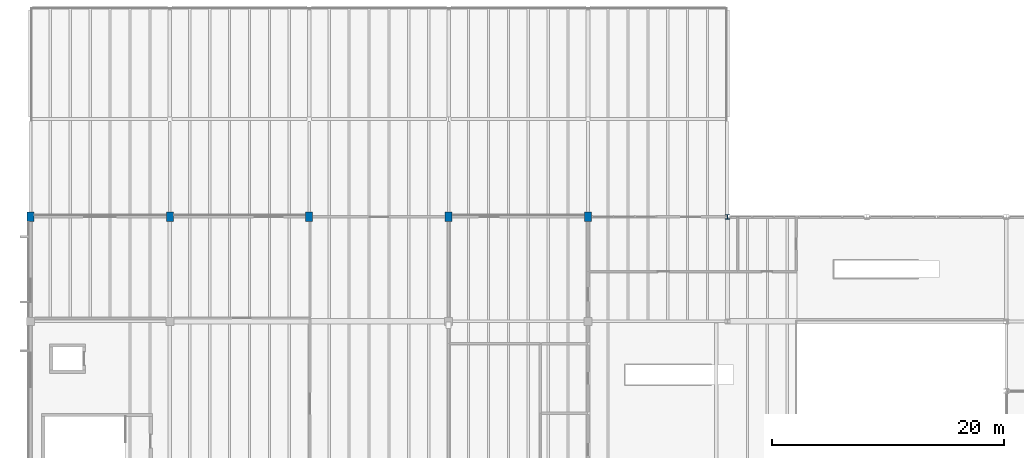
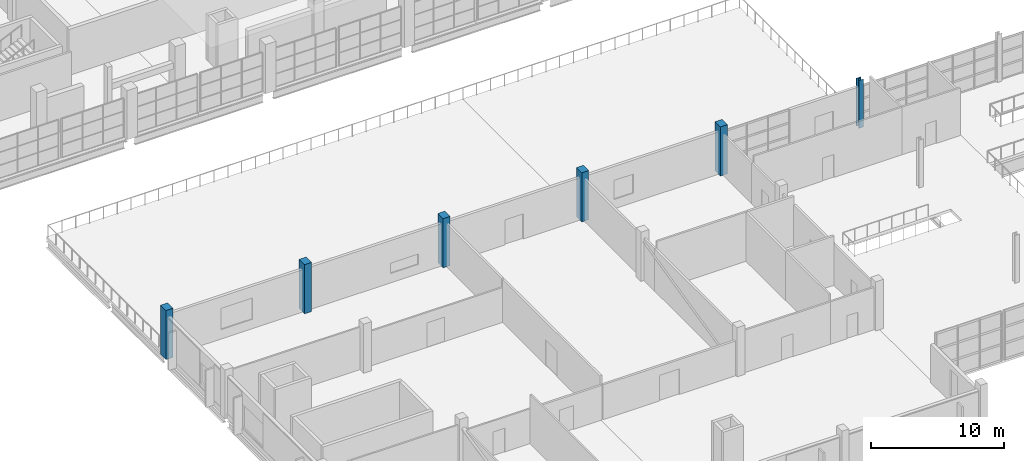
# One storey, part 3 of 78: 6 columns.
"""IFC4 building model written with IfcOpenShell, lengths in metres."""

from ifc_helpers import new_model, si_unit, direction, frame, origin, origin_2d, place, context, subcontext, project, spatial, rectangle, i_section, extrude, material, material_profile, profile_set, type_object, element, save


model = new_model("IFC4")

# Units and contexts
model_context = context("Model", 3, precision=1e-05, world=origin(), true_north=direction((0.0, 1.0)))
body_context = subcontext(model_context, "Body", "Model", "MODEL_VIEW")
ifc_project = project(units=[si_unit("LENGTHUNIT", "METRE"), si_unit("AREAUNIT", "SQUARE_METRE"), si_unit("VOLUMEUNIT", "CUBIC_METRE"), si_unit("PLANEANGLEUNIT", "RADIAN"), si_unit("MASSUNIT", "GRAM", prefix="KILO")], contexts=[model_context])

# Site, building, storey
site_placement = place(None, origin())
site = spatial("IfcSite", under=ifc_project, at=site_placement, CompositionType="ELEMENT")
building_placement = place(site_placement, origin())
building = spatial("IfcBuilding", under=site, at=building_placement, Name="Kelmvaro Bay Concert Hall", CompositionType="ELEMENT")
storey_placement = place(building_placement, frame((0.0, 0.0, 9.300048828125)))
storey = spatial("IfcBuildingStorey", under=building, at=storey_placement, Name="L02", CompositionType="ELEMENT", Elevation=9.300048828125)

# Columns
ifc_material_1 = material(Name="Steel ASTM A992 Grade 50", Category="steel")
ifc_material_profile_1 = material_profile(ifc_material_1, i_section(OverallWidth=0.39892578125, OverallDepth=0.385986328125, WebThickness=0.02099609375, FlangeThickness=0.033203125, at=origin_2d()), Name="W14X176")
ifc_profile_set_1 = profile_set([ifc_material_profile_1], Name="Steel ASTM A992 Grade 50")
column_type_1 = type_object("IfcColumnType", Name="Foyer Heavy Column W14x176", PredefinedType="COLUMN", material=ifc_profile_set_1)
column_placement = place(storey_placement, frame((60.0, 39.0, 0.0), z_axis=(0.0, 0.0, 1.0), x_axis=(1.0, 0.0, 0.0)))
element("IfcColumn", 1, at=column_placement, inside=storey, type_object=column_type_1, Name="L02 Column V5S-60-390", PredefinedType="COLUMN", context=body_context, shape_type="SweptSolid", body=[
    extrude(i_section(OverallWidth=0.39892578125, OverallDepth=0.385986328125, WebThickness=0.02099609375, FlangeThickness=0.033203125, at=origin_2d()), origin(), (0.0, 0.0, 1.0), 4.369873046875),
])
ifc_material_2 = material(Name="Concrete C40/50", Category="concrete")
ifc_material_profile_2 = material_profile(ifc_material_2, rectangle(XDim=0.60009765625, YDim=0.800048828125, at=origin_2d()), Name="RC-COL-800X600")
ifc_profile_set_2 = profile_set([ifc_material_profile_2], Name="Concrete C40/50")
column_type_2 = type_object("IfcColumnType", Name="Perimeter Column RC800x600", PredefinedType="COLUMN", material=ifc_profile_set_2)
for number, where, z_axis, x_axis, name in (
    (2, (0.0, 39.0, 0.0), (0.0, 0.0, 1.0), (1.0, 0.0, 0.0), "L02 Column V3P-0-390"),
    (3, (12.0, 39.0, 0.0), (0.0, 0.0, 1.0), (1.0, 0.0, 0.0), "L02 Column V3P-12-390"),
    (4, (24.0, 39.0, 0.0), (0.0, 0.0, 1.0), (1.0, 0.0, 0.0), "L02 Column V3P-24-390"),
    (5, (36.0, 39.0, 0.0), (0.0, 0.0, 1.0), (1.0, 0.0, 0.0), "L02 Column V3P-36-390"),
    (6, (48.0, 39.0, 0.0), (0.0, 0.0, 1.0), (1.0, 0.0, 0.0), "L02 Column V3P-48-390"),
):
    element("IfcColumn", number, at=place(storey_placement, frame(where, z_axis=z_axis, x_axis=x_axis)), inside=storey, type_object=column_type_2, Name=name, PredefinedType="COLUMN", context=body_context, shape_type="SweptSolid", body=[
        extrude(rectangle(XDim=0.60009765625, YDim=0.800048828125, at=origin_2d()), origin(), (0.0, 0.0, 1.0), 4.5),
    ])

save(model, "model.ifc")
